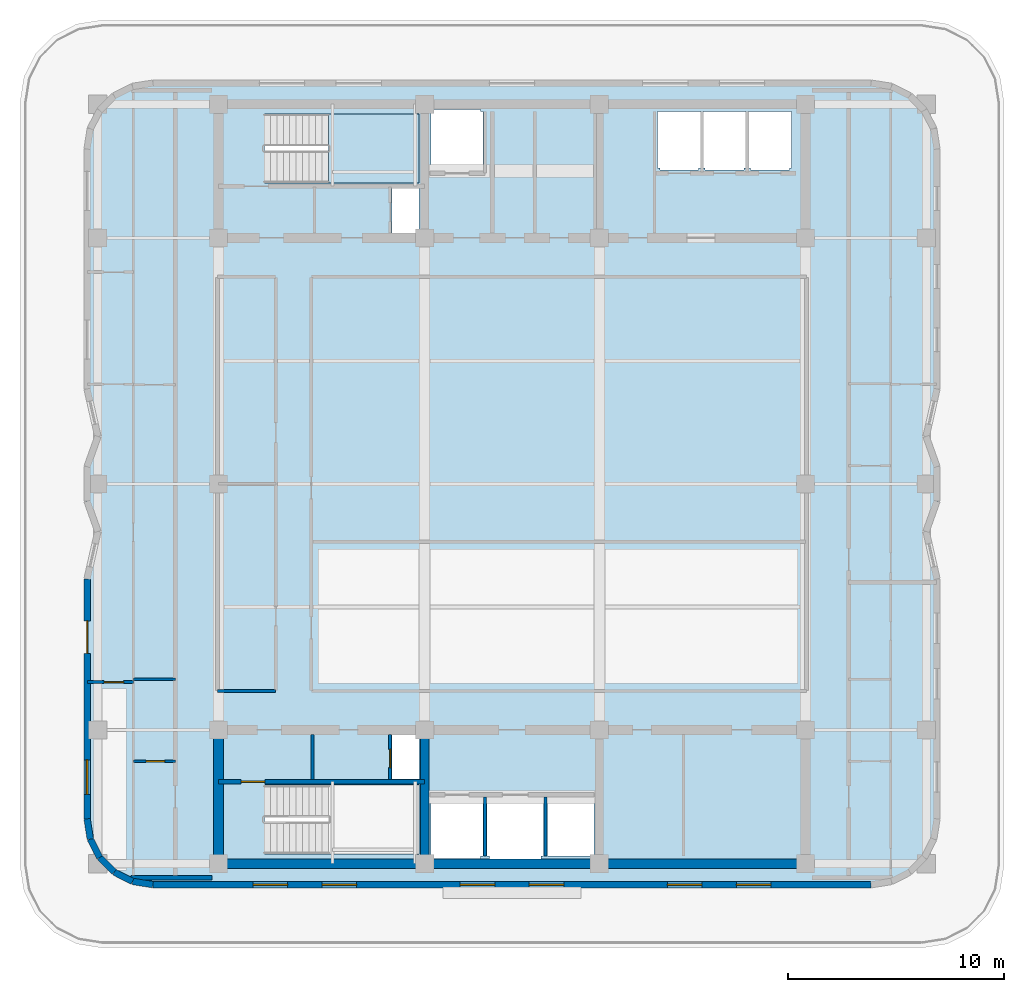
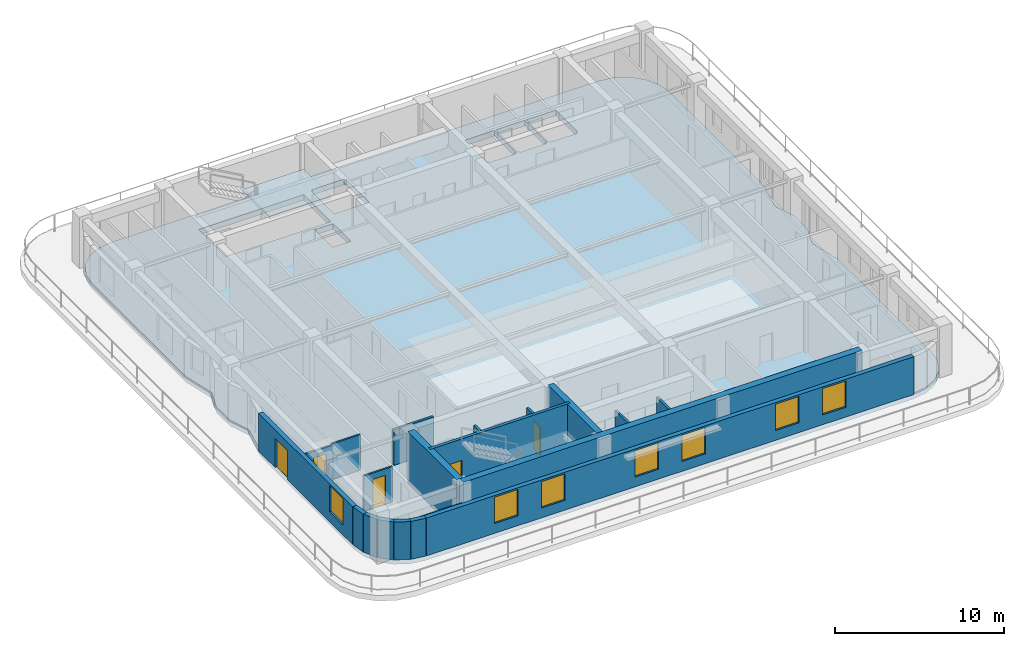
# One storey, part 2 of 9: 20 walls, 7 windows, 5 doors, 2 slabs, 12 openings, 1 element without a shape of its own.
"""IFC4 building model written with IfcOpenShell, lengths in metres."""

from ifc_helpers import new_model, si_unit, direction, frame, frame_2d, origin, place, context, subcontext, project, spatial, polyline, rectangle, outline, extrude, material, layer, layer_set, type_object, element, fill, aggregate, save


model = new_model("IFC4")

# Units and contexts
model_context = context("Model", 3, precision=1e-05, world=origin(), true_north=direction((0.0, 1.0)))
body_context = subcontext(model_context, "Body", "Model", "MODEL_VIEW")
ifc_project = project(units=[si_unit("LENGTHUNIT", "METRE"), si_unit("AREAUNIT", "SQUARE_METRE"), si_unit("VOLUMEUNIT", "CUBIC_METRE"), si_unit("PLANEANGLEUNIT", "RADIAN"), si_unit("MASSUNIT", "GRAM", prefix="KILO")], contexts=[model_context])

# Site, building, storey
site_placement = place(None, origin())
site = spatial("IfcSite", under=ifc_project, at=site_placement, CompositionType="ELEMENT")
building_placement = place(site_placement, origin())
building = spatial("IfcBuilding", under=site, at=building_placement, Name="Svetorya Sky Lyceum", CompositionType="ELEMENT")
storey_placement = place(building_placement, frame((0.0, 0.0, 225.800048828125)))
storey = spatial("IfcBuildingStorey", under=building, at=storey_placement, Name="L56", CompositionType="ELEMENT", Elevation=225.800048828125)

# Stair, slab
ifc_material_1 = material(Name="Concrete C40/50", Category="concrete")
stair_type = type_object("IfcStairType", Name="STR-ST-N", PredefinedType="HALF_TURN_STAIR", material=ifc_material_1)
stair_placement = place(storey_placement, origin())
stair = element("IfcStair", 1, at=stair_placement, inside=storey, type_object=stair_type, Name="L56 North Core Smoke-Free Exit Stair N3", PredefinedType="HALF_TURN_STAIR")
ifc_layer_1 = layer(ifc_material_1, 0.199951171875)
ifc_layer_set_1 = layer_set([ifc_layer_1], Name="Concrete C40/50")
slab_type_1 = type_object("IfcSlabType", Name="SL-STR-LAND-200", PredefinedType="LANDING", material=ifc_layer_set_1)
slab_1_placement = place(storey_placement, frame((0.0, 0.0, 1.64990234375)))
slab_1 = element("IfcSlab", 2, at=slab_1_placement, type_object=slab_type_1, Name="ST-N landing 1", PredefinedType="LANDING", context=body_context, shape_type="SweptSolid", body=[
    extrude(outline(polyline([(30.699951171875, 42.14990234375), (34.89990234375, 42.14990234375), (34.89990234375, 45.35009765625), (30.699951171875, 45.35009765625), (30.699951171875, 42.14990234375)])), origin(), (0.0, 0.0, 1.0), 0.199951171875),
])
aggregate(stair, [slab_1])

# Slab
ifc_material_2 = material(Name="Concrete C60/75", Category="concrete")
ifc_layer_2 = layer(ifc_material_2, 0.39990234375)
ifc_layer_set_2 = layer_set([ifc_layer_2], Name="Concrete C60/75")
slab_type_2 = type_object("IfcSlabType", Name="SL-TRF-400", PredefinedType="FLOOR", material=ifc_layer_set_2)
slab_2_placement = place(storey_placement, frame((0.0, 0.0, -0.400146484375)))
element("IfcSlab", 3, at=slab_2_placement, inside=storey, type_object=slab_type_2, Name="L56 Structural Floor Slab", PredefinedType="FLOOR", context=body_context, shape_type="SweptSolid", body=[
    extrude(outline(polyline([(19.47998046875, 12.679931640625), (19.630615234375, 11.728271484375), (20.068115234375, 10.86962890625), (20.74951171875, 10.188232421875), (21.608154296875, 9.750732421875), (22.56005859375, 9.60009765625), (55.840087890625, 9.60009765625), (56.791748046875, 9.750732421875), (57.650390625, 10.188232421875), (58.331787109375, 10.86962890625), (58.769287109375, 11.728271484375), (58.919921875, 12.679931640625), (58.919921875, 23.800048828125), (58.419921875, 26.0), (58.919921875, 27.39990234375), (58.919921875, 29.0), (58.419921875, 30.39990234375), (58.919921875, 32.60009765625), (58.919921875, 43.719970703125), (58.769287109375, 44.671875), (58.331787109375, 45.530517578125), (57.650390625, 46.2119140625), (56.791748046875, 46.6494140625), (55.840087890625, 46.800048828125), (22.56005859375, 46.800048828125), (21.608154296875, 46.6494140625), (20.74951171875, 46.2119140625), (20.068115234375, 45.530517578125), (19.630615234375, 44.671875), (19.47998046875, 43.719970703125), (19.47998046875, 32.60009765625), (19.97998046875, 30.39990234375), (19.47998046875, 29.0), (19.47998046875, 27.39990234375), (19.97998046875, 26.0), (19.47998046875, 23.800048828125), (19.47998046875, 12.679931640625)]), holes=[polyline([(37.85009765625, 10.949951171875), (37.75, 10.949951171875), (37.75, 10.85009765625), (35.550048828125, 10.85009765625), (35.550048828125, 10.949951171875), (35.449951171875, 10.949951171875), (35.449951171875, 13.64990234375), (35.550048828125, 13.64990234375), (37.75, 13.64990234375), (37.85009765625, 13.64990234375), (37.85009765625, 10.949951171875)]), polyline([(38.14990234375, 10.800048828125), (38.14990234375, 10.949951171875), (38.050048828125, 10.949951171875), (38.050048828125, 13.64990234375), (38.14990234375, 13.64990234375), (38.14990234375, 13.699951171875), (40.550048828125, 13.699951171875), (40.550048828125, 13.64990234375), (40.64990234375, 13.64990234375), (40.64990234375, 10.949951171875), (40.550048828125, 10.949951171875), (40.550048828125, 10.800048828125), (38.14990234375, 10.800048828125)]), polyline([(27.719970703125, 11.050048828125), (27.719970703125, 14.25), (34.89990234375, 14.25), (34.89990234375, 11.050048828125), (27.719970703125, 11.050048828125)]), polyline([(33.64990234375, 14.52001953125), (33.64990234375, 16.580078125), (34.89990234375, 16.580078125), (34.89990234375, 14.52001953125), (33.64990234375, 14.52001953125)]), polyline([(33.64990234375, 39.820068359375), (33.64990234375, 41.89990234375), (34.89990234375, 41.89990234375), (34.89990234375, 39.820068359375), (33.64990234375, 39.820068359375)]), polyline([(27.719970703125, 42.14990234375), (27.719970703125, 45.35009765625), (34.89990234375, 45.35009765625), (34.89990234375, 42.14990234375), (27.719970703125, 42.14990234375)]), polyline([(37.75, 42.75), (35.550048828125, 42.75), (35.449951171875, 42.75), (35.449951171875, 45.449951171875), (35.550048828125, 45.449951171875), (35.550048828125, 45.550048828125), (37.75, 45.550048828125), (37.75, 45.449951171875), (37.85009765625, 45.449951171875), (37.85009765625, 42.75), (37.75, 42.75)]), polyline([(40.85009765625, 10.949951171875), (40.85009765625, 13.64990234375), (43.0, 13.64990234375), (43.0, 10.949951171875), (40.85009765625, 10.949951171875)]), polyline([(46.050048828125, 42.75), (46.050048828125, 42.85009765625), (45.949951171875, 42.85009765625), (45.949951171875, 45.449951171875), (46.050048828125, 45.449951171875), (47.85009765625, 45.449951171875), (47.949951171875, 45.449951171875), (47.949951171875, 42.85009765625), (47.85009765625, 42.85009765625), (47.85009765625, 42.75), (46.050048828125, 42.75)]), polyline([(50.050048828125, 42.85009765625), (49.949951171875, 42.85009765625), (49.949951171875, 42.75), (48.14990234375, 42.75), (48.14990234375, 42.85009765625), (48.050048828125, 42.85009765625), (48.050048828125, 45.449951171875), (48.14990234375, 45.449951171875), (49.949951171875, 45.449951171875), (50.050048828125, 45.449951171875), (50.050048828125, 42.85009765625)]), polyline([(52.14990234375, 42.85009765625), (52.050048828125, 42.85009765625), (52.050048828125, 42.75), (50.25, 42.75), (50.25, 42.85009765625), (50.14990234375, 42.85009765625), (50.14990234375, 45.449951171875), (50.25, 45.449951171875), (52.050048828125, 45.449951171875), (52.14990234375, 45.449951171875), (52.14990234375, 42.85009765625)])]), origin(), (0.0, 0.0, 1.0), 0.400146484375),
])

# Walls
ifc_layer_3 = layer(ifc_material_1, 0.39990234375)
ifc_layer_set_3 = layer_set([ifc_layer_3], Name="Concrete C40/50")
wall_type_1 = type_object("IfcWallType", Name="WL-CORE-400", PredefinedType="SHEAR", material=ifc_layer_set_3)
wall_1_placement = place(storey_placement, frame((35.14990234375, 10.824951171875, 0.0), z_axis=(0.0, 0.0, 1.0), x_axis=(0.0, 1.0, 0.0)))
element("IfcWall", 4, at=wall_1_placement, inside=storey, type_object=wall_type_1, Name="L56 SC Internal Shear Web WEB1", PredefinedType="SHEAR", context=body_context, shape_type="SweptSolid", body=[
    extrude(rectangle(XDim=5.75, YDim=0.39990234375, at=frame_2d((2.875, 0.0))), origin(), (0.0, 0.0, 1.0), 3.699951171875),
])
ifc_material_3 = material(Name="Concrete C50/60", Category="concrete")
ifc_layer_4 = layer(ifc_material_3, 0.449951171875)
ifc_layer_set_4 = layer_set([ifc_layer_4], Name="Concrete C50/60")
wall_type_2 = type_object("IfcWallType", Name="WL-CORE-450", PredefinedType="SHEAR", material=ifc_layer_set_4)
wall_2_placement = place(storey_placement, frame((52.800048828125, 10.60009765625, 0.0), z_axis=(0.0, 0.0, 1.0), x_axis=(-1.0, 0.0, 0.0)))
element("IfcWall", 5, at=wall_2_placement, inside=storey, type_object=wall_type_2, Name="L56 SC Outer Core Shear Wall", PredefinedType="SHEAR", context=body_context, shape_type="SweptSolid", body=[
    extrude(rectangle(XDim=27.199951171875, YDim=0.449951171875, at=frame_2d((13.60009765625, 0.0))), origin(), (0.0, 0.0, 1.0), 3.699951171875),
])
wall_3_placement = place(storey_placement, frame((25.60009765625, 10.824951171875, 0.0), z_axis=(0.0, 0.0, 1.0), x_axis=(0.0, 1.0, 0.0)))
element("IfcWall", 6, at=wall_3_placement, inside=storey, type_object=wall_type_2, Name="L56 SC West Core Shear Wall", PredefinedType="SHEAR", context=body_context, shape_type="SweptSolid", body=[
    extrude(rectangle(XDim=5.75, YDim=0.449951171875, at=frame_2d((2.875, 0.0))), origin(), (0.0, 0.0, 1.0), 3.699951171875),
])
ifc_material_4 = material(Name="Putilovo limestone rainscreen on autoclaved cellular masonry", Category="masonry")
ifc_layer_5 = layer(ifc_material_4, 0.300048828125)
ifc_layer_set_5 = layer_set([ifc_layer_5], Name="Putilovo limestone rainscreen on autoclaved cellular masonry")
wall_type_3 = type_object("IfcWallType", Name="WL-EXT-300", PredefinedType="SOLIDWALL", material=ifc_layer_set_5)
wall_4_placement = place(storey_placement, frame((19.510009765625, 12.679931640625, 0.0), z_axis=(0.0, 0.0, 1.0), x_axis=(0.156343617883, -0.987702725088, 0.0)))
element("IfcWall", 7, at=wall_4_placement, inside=storey, type_object=wall_type_3, Name="L56 Limestone Exterior Wall 1M", PredefinedType="SOLIDWALL", context=body_context, shape_type="SweptSolid", body=[
    extrude(rectangle(XDim=0.9541015625, YDim=0.300048828125, at=frame_2d((0.47705078125, 0.0))), origin(), (0.0, 0.0, 1.0), 2.72998046875),
])
for number, where, z_axis, x_axis, name in (
    (8, (19.6591796875, 11.737548828125, 0.0), (0.0, 0.0, 1.0), (0.454056065666, -0.890973113642, 0.0), "L56 Limestone Exterior Wall 2M"),
    (9, (20.092529296875, 10.88720703125, 0.0), (0.0, 0.0, 1.0), (0.707106781187, -0.707106781187, 0.0), "L56 Limestone Exterior Wall 3M"),
):
    element("IfcWall", number, at=place(storey_placement, frame(where, z_axis=z_axis, x_axis=x_axis)), inside=storey, type_object=wall_type_3, Name=name, PredefinedType="SOLIDWALL", context=body_context, shape_type="SweptSolid", body=[
        extrude(rectangle(XDim=0.954345703125, YDim=0.300048828125, at=frame_2d((0.47705078125, 0.0))), origin(), (0.0, 0.0, 1.0), 2.72998046875),
    ])
wall_5_placement = place(storey_placement, frame((20.767333984375, 10.21240234375, 0.0), z_axis=(0.0, 0.0, 1.0), x_axis=(0.891023873617, -0.45395644796, 0.0)))
element("IfcWall", 10, at=wall_5_placement, inside=storey, type_object=wall_type_3, Name="L56 Limestone Exterior Wall 4M", PredefinedType="SOLIDWALL", context=body_context, shape_type="SweptSolid", body=[
    extrude(rectangle(XDim=0.9541015625, YDim=0.300048828125, at=frame_2d((0.47705078125, 0.0))), origin(), (0.0, 0.0, 1.0), 2.72998046875),
])
wall_6_placement = place(storey_placement, frame((21.617431640625, 9.779296875, 0.0), z_axis=(0.0, 0.0, 1.0), x_axis=(0.987669453596, -0.156553666304, 0.0)))
element("IfcWall", 11, at=wall_6_placement, inside=storey, type_object=wall_type_3, Name="L56 Limestone Exterior Wall 5M", PredefinedType="SOLIDWALL", context=body_context, shape_type="SweptSolid", body=[
    extrude(rectangle(XDim=0.954345703125, YDim=0.300048828125, at=frame_2d((0.47705078125, 0.0))), origin(), (0.0, 0.0, 1.0), 2.72998046875),
])

# Wall, openings, windows
wall_7_placement = place(storey_placement, frame((22.56005859375, 9.6298828125, 0.0), z_axis=(0.0, 0.0, 1.0), x_axis=(1.0, 0.0, 0.0)))
wall_7 = element("IfcWall", 12, at=wall_7_placement, inside=storey, type_object=wall_type_3, Name="L56 Limestone Exterior Wall 6M", PredefinedType="SOLIDWALL", context=body_context, shape_type="SweptSolid", body=[
    extrude(rectangle(XDim=33.280029296875, YDim=0.300048828125, at=frame_2d((16.64013671875, 0.0))), origin(), (0.0, 0.0, 1.0), 2.72998046875),
])
opening_1_placement = place(wall_7_placement, frame((4.64697265625, 0.0, 0.7099609375)))
opening_1 = element("IfcOpeningElement", 13, at=opening_1_placement, cuts=wall_7, Name="Opening W-R4", PredefinedType="OPENING", context=body_context, shape_type="SweptSolid", body=[
    extrude(rectangle(XDim=1.60009765625, YDim=1.89990234375, at=frame_2d((0.800048828125, 0.949951171875))), frame((0.0, 0.159912109375, 0.0), z_axis=(0.0, -1.0, 0.0), x_axis=(1.0, 0.0, 0.0)), (0.0, 0.0, 1.0), 0.320068359375),
])
opening_2_placement = place(wall_7_placement, frame((7.844970703125, 0.0, 0.7099609375)))
opening_2 = element("IfcOpeningElement", 14, at=opening_2_placement, cuts=wall_7, Name="Opening W-R4", PredefinedType="OPENING", context=body_context, shape_type="SweptSolid", body=[
    extrude(rectangle(XDim=1.60009765625, YDim=1.89990234375, at=frame_2d((0.800048828125, 0.949951171875))), frame((0.0, 0.159912109375, 0.0), z_axis=(0.0, -1.0, 0.0), x_axis=(1.0, 0.0, 0.0)), (0.0, 0.0, 1.0), 0.320068359375),
])
opening_3_placement = place(wall_7_placement, frame((14.240966796875, 0.0, 0.7099609375)))
opening_3 = element("IfcOpeningElement", 15, at=opening_3_placement, cuts=wall_7, Name="Opening W-R4", PredefinedType="OPENING", context=body_context, shape_type="SweptSolid", body=[
    extrude(rectangle(XDim=1.60009765625, YDim=1.89990234375, at=frame_2d((0.800048828125, 0.949951171875))), frame((0.0, 0.159912109375, 0.0), z_axis=(0.0, -1.0, 0.0), x_axis=(1.0, 0.0, 0.0)), (0.0, 0.0, 1.0), 0.320068359375),
])
opening_4_placement = place(wall_7_placement, frame((17.43896484375, 0.0, 0.7099609375)))
opening_4 = element("IfcOpeningElement", 16, at=opening_4_placement, cuts=wall_7, Name="Opening W-R4", PredefinedType="OPENING", context=body_context, shape_type="SweptSolid", body=[
    extrude(rectangle(XDim=1.60009765625, YDim=1.89990234375, at=frame_2d((0.800048828125, 0.949951171875))), frame((0.0, 0.159912109375, 0.0), z_axis=(0.0, -1.0, 0.0), x_axis=(1.0, 0.0, 0.0)), (0.0, 0.0, 1.0), 0.320068359375),
])
opening_5_placement = place(wall_7_placement, frame((23.8349609375, 0.0, 0.7099609375)))
opening_5 = element("IfcOpeningElement", 17, at=opening_5_placement, cuts=wall_7, Name="Opening W-R4", PredefinedType="OPENING", context=body_context, shape_type="SweptSolid", body=[
    extrude(rectangle(XDim=1.60009765625, YDim=1.89990234375, at=frame_2d((0.800048828125, 0.949951171875))), frame((0.0, 0.159912109375, 0.0), z_axis=(0.0, -1.0, 0.0), x_axis=(1.0, 0.0, 0.0)), (0.0, 0.0, 1.0), 0.320068359375),
])
opening_6_placement = place(wall_7_placement, frame((27.032958984375, 0.0, 0.7099609375)))
opening_6 = element("IfcOpeningElement", 18, at=opening_6_placement, cuts=wall_7, Name="Opening W-R4", PredefinedType="OPENING", context=body_context, shape_type="SweptSolid", body=[
    extrude(rectangle(XDim=1.60009765625, YDim=1.89990234375, at=frame_2d((0.800048828125, 0.949951171875))), frame((0.0, 0.159912109375, 0.0), z_axis=(0.0, -1.0, 0.0), x_axis=(1.0, 0.0, 0.0)), (0.0, 0.0, 1.0), 0.320068359375),
])
ifc_material_5 = material(Name="Thermally broken aluminium frame with triple low-E glazing", Category="aluminium")
window_type = type_object("IfcWindowType", Name="WN-RES-160", PartitioningType="DOUBLE_PANEL_VERTICAL", PredefinedType="WINDOW", material=ifc_material_5)
window_1_placement = place(opening_1_placement, origin())
window_1 = element("IfcWindow", 19, at=window_1_placement, inside=storey, type_object=window_type, Name="L56 Facade Window W-R4.6M.1", OverallHeight=1.89990234375, OverallWidth=1.60009765625, PartitioningType="SINGLE_PANEL", PredefinedType="WINDOW", context=body_context, shape_type="SweptSolid", body=[
    extrude(rectangle(XDim=1.60009765625, YDim=1.89990234375, at=frame_2d((0.800048828125, 0.949951171875))), frame((0.0, 0.030029296875, 0.0), z_axis=(0.0, -1.0, 0.0), x_axis=(1.0, 0.0, 0.0)), (0.0, 0.0, 1.0), 0.06005859375),
])
fill(opening_1, window_1)
window_2_placement = place(opening_2_placement, origin())
window_2 = element("IfcWindow", 20, at=window_2_placement, inside=storey, type_object=window_type, Name="L56 Facade Window W-R4.6M.2", OverallHeight=1.89990234375, OverallWidth=1.60009765625, PartitioningType="SINGLE_PANEL", PredefinedType="WINDOW", context=body_context, shape_type="SweptSolid", body=[
    extrude(rectangle(XDim=1.60009765625, YDim=1.89990234375, at=frame_2d((0.800048828125, 0.949951171875))), frame((0.0, 0.030029296875, 0.0), z_axis=(0.0, -1.0, 0.0), x_axis=(1.0, 0.0, 0.0)), (0.0, 0.0, 1.0), 0.06005859375),
])
fill(opening_2, window_2)
window_3_placement = place(opening_3_placement, origin())
window_3 = element("IfcWindow", 21, at=window_3_placement, inside=storey, type_object=window_type, Name="L56 Facade Window W-R4.6M.3", OverallHeight=1.89990234375, OverallWidth=1.60009765625, PartitioningType="SINGLE_PANEL", PredefinedType="WINDOW", context=body_context, shape_type="SweptSolid", body=[
    extrude(rectangle(XDim=1.60009765625, YDim=1.89990234375, at=frame_2d((0.800048828125, 0.949951171875))), frame((0.0, 0.030029296875, 0.0), z_axis=(0.0, -1.0, 0.0), x_axis=(1.0, 0.0, 0.0)), (0.0, 0.0, 1.0), 0.06005859375),
])
fill(opening_3, window_3)
window_4_placement = place(opening_4_placement, origin())
window_4 = element("IfcWindow", 22, at=window_4_placement, inside=storey, type_object=window_type, Name="L56 Facade Window W-R4.6M.4", OverallHeight=1.89990234375, OverallWidth=1.60009765625, PartitioningType="SINGLE_PANEL", PredefinedType="WINDOW", context=body_context, shape_type="SweptSolid", body=[
    extrude(rectangle(XDim=1.60009765625, YDim=1.89990234375, at=frame_2d((0.800048828125, 0.949951171875))), frame((0.0, 0.030029296875, 0.0), z_axis=(0.0, -1.0, 0.0), x_axis=(1.0, 0.0, 0.0)), (0.0, 0.0, 1.0), 0.06005859375),
])
fill(opening_4, window_4)
window_5_placement = place(opening_5_placement, origin())
window_5 = element("IfcWindow", 23, at=window_5_placement, inside=storey, type_object=window_type, Name="L56 Facade Window W-R4.6M.5", OverallHeight=1.89990234375, OverallWidth=1.60009765625, PartitioningType="SINGLE_PANEL", PredefinedType="WINDOW", context=body_context, shape_type="SweptSolid", body=[
    extrude(rectangle(XDim=1.60009765625, YDim=1.89990234375, at=frame_2d((0.800048828125, 0.949951171875))), frame((0.0, 0.030029296875, 0.0), z_axis=(0.0, -1.0, 0.0), x_axis=(1.0, 0.0, 0.0)), (0.0, 0.0, 1.0), 0.06005859375),
])
fill(opening_5, window_5)
window_6_placement = place(opening_6_placement, origin())
window_6 = element("IfcWindow", 24, at=window_6_placement, inside=storey, type_object=window_type, Name="L56 Facade Window W-R4.6M.6", OverallHeight=1.89990234375, OverallWidth=1.60009765625, PartitioningType="SINGLE_PANEL", PredefinedType="WINDOW", context=body_context, shape_type="SweptSolid", body=[
    extrude(rectangle(XDim=1.60009765625, YDim=1.89990234375, at=frame_2d((0.800048828125, 0.949951171875))), frame((0.0, 0.030029296875, 0.0), z_axis=(0.0, -1.0, 0.0), x_axis=(1.0, 0.0, 0.0)), (0.0, 0.0, 1.0), 0.06005859375),
])
fill(opening_6, window_6)

# Wall, openings, door, window
wall_8_placement = place(storey_placement, frame((19.510009765625, 23.800048828125, 0.0), z_axis=(0.0, 0.0, 1.0), x_axis=(0.0, -1.0, 0.0)))
wall_8 = element("IfcWall", 25, at=wall_8_placement, inside=storey, type_object=wall_type_3, Name="L56 Limestone Exterior Wall 36M", PredefinedType="SOLIDWALL", context=body_context, shape_type="SweptSolid", body=[
    extrude(rectangle(XDim=11.1201171875, YDim=0.300048828125, at=frame_2d((5.56005859375, 0.0))), origin(), (0.0, 0.0, 1.0), 2.72998046875),
])
opening_7_placement = place(wall_8_placement, frame((1.949951171875, 0.0, 0.0)))
opening_7 = element("IfcOpeningElement", 26, at=opening_7_placement, cuts=wall_8, Name="Opening D-TR1", PredefinedType="OPENING", context=body_context, shape_type="SweptSolid", body=[
    extrude(rectangle(XDim=1.5, YDim=2.10009765625, at=frame_2d((0.75, 1.050048828125))), frame((0.0, 0.159912109375, 0.0), z_axis=(0.0, -1.0, 0.0), x_axis=(1.0, 0.0, 0.0)), (0.0, 0.0, 1.0), 0.320068359375),
])
opening_8_placement = place(wall_8_placement, frame((8.38330078125, 0.0, 0.7099609375)))
opening_8 = element("IfcOpeningElement", 27, at=opening_8_placement, cuts=wall_8, Name="Opening W-R4", PredefinedType="OPENING", context=body_context, shape_type="SweptSolid", body=[
    extrude(rectangle(XDim=1.60009765625, YDim=1.89990234375, at=frame_2d((0.800048828125, 0.949951171875))), frame((0.0, 0.159912109375, 0.0), z_axis=(0.0, -1.0, 0.0), x_axis=(1.0, 0.0, 0.0)), (0.0, 0.0, 1.0), 0.320068359375),
])
ifc_material_6 = material(Name="Insulated glazed aluminium terrace door", Category="aluminium")
door_type_1 = type_object("IfcDoorType", Name="DR-TER-1500", OperationType="DOUBLE_DOOR_SINGLE_SWING", PredefinedType="DOOR", material=ifc_material_6)
door_1_placement = place(opening_7_placement, origin())
door_1 = element("IfcDoor", 28, at=door_1_placement, inside=storey, type_object=door_type_1, Name="L56 Setback Terrace Door", OperationType="DOUBLE_DOOR_SINGLE_SWING", OverallHeight=2.10009765625, OverallWidth=1.5, PredefinedType="DOOR", context=body_context, shape_type="SweptSolid", body=[
    extrude(rectangle(XDim=1.5, YDim=2.10009765625, at=frame_2d((0.75, 1.050048828125))), frame((0.0, 0.02490234375, 0.0), z_axis=(0.0, -1.0, 0.0), x_axis=(1.0, 0.0, 0.0)), (0.0, 0.0, 1.0), 0.050048828125),
])
fill(opening_7, door_1)
window_7_placement = place(opening_8_placement, origin())
window_7 = element("IfcWindow", 29, at=window_7_placement, inside=storey, type_object=window_type, Name="L56 Facade Window W-R4.36M.1", OverallHeight=1.89990234375, OverallWidth=1.60009765625, PartitioningType="SINGLE_PANEL", PredefinedType="WINDOW", context=body_context, shape_type="SweptSolid", body=[
    extrude(rectangle(XDim=1.60009765625, YDim=1.89990234375, at=frame_2d((0.800048828125, 0.949951171875))), frame((0.0, 0.030029296875, 0.0), z_axis=(0.0, -1.0, 0.0), x_axis=(1.0, 0.0, 0.0)), (0.0, 0.0, 1.0), 0.06005859375),
])
fill(opening_8, window_7)

# Wall, opening, door
ifc_material_7 = material(Name="Twin-stud galvanized framing with double fireboard", Category="gypsum")
ifc_layer_6 = layer(ifc_material_7, 0.1201171875)
ifc_layer_set_6 = layer_set([ifc_layer_6], Name="Twin-stud galvanized framing with double fireboard")
wall_type_4 = type_object("IfcWallType", Name="WL-PART-120", PredefinedType="PARTITIONING", material=ifc_layer_set_6)
wall_9_placement = place(storey_placement, frame((21.64990234375, 15.35009765625, 0.0), z_axis=(0.0, 0.0, 1.0), x_axis=(1.0, 0.0, 0.0)))
wall_9 = element("IfcWall", 30, at=wall_9_placement, inside=storey, type_object=wall_type_4, Name="L56 Interior Partition W1-WH1", PredefinedType="PARTITIONING", context=body_context, shape_type="SweptSolid", body=[
    extrude(rectangle(XDim=1.9501953125, YDim=0.1201171875, at=frame_2d((0.97509765625, 0.0))), origin(), (0.0, 0.0, 1.0), 2.56005859375),
])
opening_9_placement = place(wall_9_placement, frame((0.60009765625, 0.0, 0.0)))
opening_9 = element("IfcOpeningElement", 31, at=opening_9_placement, cuts=wall_9, Name="Opening D-BT1", PredefinedType="OPENING", context=body_context, shape_type="SweptSolid", body=[
    extrude(rectangle(XDim=0.85009765625, YDim=2.10009765625, at=frame_2d((0.425048828125, 1.050048828125))), frame((0.0, 0.070068359375, 0.0), z_axis=(0.0, -1.0, 0.0), x_axis=(1.0, 0.0, 0.0)), (0.0, 0.0, 1.0), 0.14013671875),
])
ifc_material_8 = material(Name="Moisture-resistant laminate bathroom door")
door_type_2 = type_object("IfcDoorType", Name="DR-WET-850", OperationType="SINGLE_SWING_LEFT", PredefinedType="DOOR", material=ifc_material_8)
door_2_placement = place(opening_9_placement, origin())
door_2 = element("IfcDoor", 32, at=door_2_placement, inside=storey, type_object=door_type_2, Name="Apartment W1 Bathroom Door", OperationType="SINGLE_SWING_LEFT", OverallHeight=2.10009765625, OverallWidth=0.85009765625, PredefinedType="DOOR", context=body_context, shape_type="SweptSolid", body=[
    extrude(rectangle(XDim=0.85009765625, YDim=2.10009765625, at=frame_2d((0.425048828125, 1.050048828125))), frame((0.0, 0.02490234375, 0.0), z_axis=(0.0, -1.0, 0.0), x_axis=(1.0, 0.0, 0.0)), (0.0, 0.0, 1.0), 0.050048828125),
])
fill(opening_9, door_2)

# Wall
wall_10_placement = place(storey_placement, frame((21.64990234375, 19.14990234375, 0.0), z_axis=(0.0, 0.0, 1.0), x_axis=(1.0, 0.0, 0.0)))
element("IfcWall", 33, at=wall_10_placement, inside=storey, type_object=wall_type_4, Name="L56 Interior Partition W1-WH2", PredefinedType="PARTITIONING", context=body_context, shape_type="SweptSolid", body=[
    extrude(rectangle(XDim=1.9501953125, YDim=0.1201171875, at=frame_2d((0.97509765625, 0.0))), origin(), (0.0, 0.0, 1.0), 2.56005859375),
])

# Wall, opening, door
wall_11_placement = place(storey_placement, frame((19.530029296875, 19.02001953125, 0.0), z_axis=(0.0, 0.0, 1.0), x_axis=(1.0, 0.0, 0.0)))
wall_11 = element("IfcWall", 34, at=wall_11_placement, inside=storey, type_object=wall_type_4, Name="L56 Interior Partition W1-WL1", PredefinedType="PARTITIONING", context=body_context, shape_type="SweptSolid", body=[
    extrude(rectangle(XDim=2.119873046875, YDim=0.1201171875, at=frame_2d((1.06005859375, 0.0))), origin(), (0.0, 0.0, 1.0), 2.56005859375),
])
opening_10_placement = place(wall_11_placement, frame((0.77001953125, 0.0, 0.0)))
opening_10 = element("IfcOpeningElement", 35, at=opening_10_placement, cuts=wall_11, Name="Opening D-RM1", PredefinedType="OPENING", context=body_context, shape_type="SweptSolid", body=[
    extrude(rectangle(XDim=0.89990234375, YDim=2.10009765625, at=frame_2d((0.449951171875, 1.050048828125))), frame((0.0, 0.070068359375, 0.0), z_axis=(0.0, -1.0, 0.0), x_axis=(1.0, 0.0, 0.0)), (0.0, 0.0, 1.0), 0.14013671875),
])
ifc_material_9 = material(Name="Lacquered birch veneer internal door")
door_type_3 = type_object("IfcDoorType", Name="DR-INT-900", OperationType="SINGLE_SWING_LEFT", PredefinedType="DOOR", material=ifc_material_9)
door_3_placement = place(opening_10_placement, origin())
door_3 = element("IfcDoor", 36, at=door_3_placement, inside=storey, type_object=door_type_3, Name="Apartment W1 Master Bedroom Door", OperationType="SINGLE_SWING_LEFT", OverallHeight=2.10009765625, OverallWidth=0.89990234375, PredefinedType="DOOR", context=body_context, shape_type="SweptSolid", body=[
    extrude(rectangle(XDim=0.89990234375, YDim=2.10009765625, at=frame_2d((0.449951171875, 1.050048828125))), frame((0.0, 0.02490234375, 0.0), z_axis=(0.0, -1.0, 0.0), x_axis=(1.0, 0.0, 0.0)), (0.0, 0.0, 1.0), 0.050048828125),
])
fill(opening_10, door_3)

# Wall
ifc_material_10 = material(Name="Autoclaved cellular masonry blockwork with acoustic render", Category="masonry")
ifc_layer_7 = layer(ifc_material_10, 0.14990234375)
ifc_layer_set_7 = layer_set([ifc_layer_7], Name="Autoclaved cellular masonry blockwork with acoustic render")
wall_type_5 = type_object("IfcWallType", Name="WL-PART-150", PredefinedType="PARTITIONING", material=ifc_layer_set_7)
wall_12_placement = place(storey_placement, frame((29.949951171875, 14.5, 0.0), z_axis=(0.0, 0.0, 1.0), x_axis=(0.0, 1.0, 0.0)))
element("IfcWall", 37, at=wall_12_placement, inside=storey, type_object=wall_type_5, Name="L56 Interior Partition SC-SWD1", PredefinedType="PARTITIONING", context=body_context, shape_type="SweptSolid", body=[
    extrude(rectangle(XDim=2.080078125, YDim=0.14990234375, at=frame_2d((1.0400390625, 0.0))), origin(), (0.0, 0.0, 1.0), 2.56005859375),
])

# Wall, opening, door
wall_13_placement = place(storey_placement, frame((33.550048828125, 14.5, 0.0), z_axis=(0.0, 0.0, 1.0), x_axis=(0.0, 1.0, 0.0)))
wall_13 = element("IfcWall", 38, at=wall_13_placement, inside=storey, type_object=wall_type_5, Name="L56 Interior Partition SC-SWD2", PredefinedType="PARTITIONING", context=body_context, shape_type="SweptSolid", body=[
    extrude(rectangle(XDim=2.080078125, YDim=0.14990234375, at=frame_2d((1.0400390625, 0.0))), origin(), (0.0, 0.0, 1.0), 2.56005859375),
])
opening_11_placement = place(wall_13_placement, frame((0.550048828125, 0.0, 0.0)))
opening_11 = element("IfcOpeningElement", 39, at=opening_11_placement, cuts=wall_13, Name="Opening D-SH1", PredefinedType="OPENING", context=body_context, shape_type="SweptSolid", body=[
    extrude(rectangle(XDim=0.85009765625, YDim=2.050048828125, at=frame_2d((0.425048828125, 1.02490234375))), frame((0.0, 0.0849609375, 0.0), z_axis=(0.0, -1.0, 0.0), x_axis=(1.0, 0.0, 0.0)), (0.0, 0.0, 1.0), 0.169921875),
])
ifc_material_11 = material(Name="Insulated galvanized riser inspection fire door")
door_type_4 = type_object("IfcDoorType", Name="DR-SHFT-850", OperationType="SINGLE_SWING_LEFT", PredefinedType="TRAPDOOR", material=ifc_material_11)
door_4_placement = place(opening_11_placement, origin())
door_4 = element("IfcDoor", 40, at=door_4_placement, inside=storey, type_object=door_type_4, Name="L56 South Riser Access Door", OperationType="SINGLE_SWING_RIGHT", OverallHeight=2.050048828125, OverallWidth=0.85009765625, PredefinedType="TRAPDOOR", context=body_context, shape_type="SweptSolid", body=[
    extrude(rectangle(XDim=0.85009765625, YDim=2.050048828125, at=frame_2d((0.425048828125, 1.02490234375))), frame((0.0, 0.02490234375, 0.0), z_axis=(0.0, -1.0, 0.0), x_axis=(1.0, 0.0, 0.0)), (0.0, 0.0, 1.0), 0.050048828125),
])
fill(opening_11, door_4)

# Walls
for number, where, z_axis, x_axis, name in (
    (41, (37.949951171875, 10.949951171875, 0.0), (0.0, 0.0, 1.0), (0.0, 1.0, 0.0), "L56 Interior Partition SC-SHD1"),
    (42, (40.75, 10.949951171875, 0.0), (0.0, 0.0, 1.0), (0.0, 1.0, 0.0), "L56 Interior Partition SC-SHD2"),
):
    element("IfcWall", number, at=place(storey_placement, frame(where, z_axis=z_axis, x_axis=x_axis)), inside=storey, type_object=wall_type_5, Name=name, PredefinedType="PARTITIONING", context=body_context, shape_type="SweptSolid", body=[
        extrude(rectangle(XDim=2.75, YDim=0.14990234375, at=frame_2d((1.375, 0.0))), origin(), (0.0, 0.0, 1.0), 2.56005859375),
    ])
wall_14_placement = place(storey_placement, frame((25.550048828125, 18.60009765625, 0.0), z_axis=(0.0, 0.0, 1.0), x_axis=(1.0, 0.0, 0.0)))
element("IfcWall", 43, at=wall_14_placement, inside=storey, type_object=wall_type_5, Name="L56 Interior Partition OFF-CS-W", PredefinedType="PARTITIONING", context=body_context, shape_type="SweptSolid", body=[
    extrude(rectangle(XDim=2.699951171875, YDim=0.14990234375, at=frame_2d((1.35009765625, 0.0))), origin(), (0.0, 0.0, 1.0), 2.56005859375),
])
ifc_material_12 = material(Name="Autoclaved cellular masonry blockwork with gypsum plaster", Category="masonry")
ifc_layer_8 = layer(ifc_material_12, 0.199951171875)
ifc_layer_set_8 = layer_set([ifc_layer_8], Name="Autoclaved cellular masonry blockwork with gypsum plaster")
wall_type_6 = type_object("IfcWallType", Name="WL-PART-200", PredefinedType="PARTITIONING", material=ifc_layer_set_8)
wall_15_placement = place(storey_placement, frame((21.5458984375, 9.949951171875, 0.0), z_axis=(0.0, 0.0, 1.0), x_axis=(1.0, 0.0, 0.0)))
element("IfcWall", 44, at=wall_15_placement, inside=storey, type_object=wall_type_6, Name="L56 Interior Partition W-CAP-S", PredefinedType="PARTITIONING", context=body_context, shape_type="SweptSolid", body=[
    extrude(rectangle(XDim=3.754150390625, YDim=0.199951171875, at=frame_2d((1.876953125, 0.0))), origin(), (0.0, 0.0, 1.0), 2.56005859375),
])

# Wall, opening, door
ifc_layer_9 = layer(ifc_material_3, 0.199951171875)
ifc_layer_set_9 = layer_set([ifc_layer_9], Name="Concrete C50/60")
wall_type_7 = type_object("IfcWallType", Name="WL-SHW-200", PredefinedType="SHEAR", material=ifc_layer_set_9)
wall_16_placement = place(storey_placement, frame((25.60009765625, 14.39990234375, 0.0), z_axis=(0.0, 0.0, 1.0), x_axis=(1.0, 0.0, 0.0)))
wall_16 = element("IfcWall", 45, at=wall_16_placement, inside=storey, type_object=wall_type_7, Name="L56 Structural Stair Shaft Wall SC-STW", PredefinedType="SHEAR", context=body_context, shape_type="SweptSolid", body=[
    extrude(rectangle(XDim=9.5498046875, YDim=0.199951171875, at=frame_2d((4.77490234375, 0.0))), origin(), (0.0, 0.0, 1.0), 3.699951171875),
])
opening_12_placement = place(wall_16_placement, frame((1.050048828125, 0.0, 0.0)))
opening_12 = element("IfcOpeningElement", 46, at=opening_12_placement, cuts=wall_16, Name="Opening D-ST1", PredefinedType="OPENING", context=body_context, shape_type="SweptSolid", body=[
    extrude(rectangle(XDim=1.10009765625, YDim=2.14990234375, at=frame_2d((0.550048828125, 1.074951171875))), frame((0.0, 0.10986328125, 0.0), z_axis=(0.0, -1.0, 0.0), x_axis=(1.0, 0.0, 0.0)), (0.0, 0.0, 1.0), 0.219970703125),
])
ifc_material_13 = material(Name="Powder-coated insulated galvanized stair fire door")
door_type_5 = type_object("IfcDoorType", Name="DR-FIRE-1100", OperationType="SINGLE_SWING_LEFT", PredefinedType="DOOR", material=ifc_material_13)
door_5_placement = place(opening_12_placement, origin())
door_5 = element("IfcDoor", 47, at=door_5_placement, inside=storey, type_object=door_type_5, Name="L56 Stair ST-S Vestibule Fire Door", OperationType="SINGLE_SWING_LEFT", OverallHeight=2.14990234375, OverallWidth=1.10009765625, PredefinedType="DOOR", context=body_context, shape_type="SweptSolid", body=[
    extrude(rectangle(XDim=1.10009765625, YDim=2.14990234375, at=frame_2d((0.550048828125, 1.074951171875))), frame((0.0, 0.02490234375, 0.0), z_axis=(0.0, -1.0, 0.0), x_axis=(1.0, 0.0, 0.0)), (0.0, 0.0, 1.0), 0.050048828125),
])
fill(opening_12, door_5)

save(model, "model.ifc")
